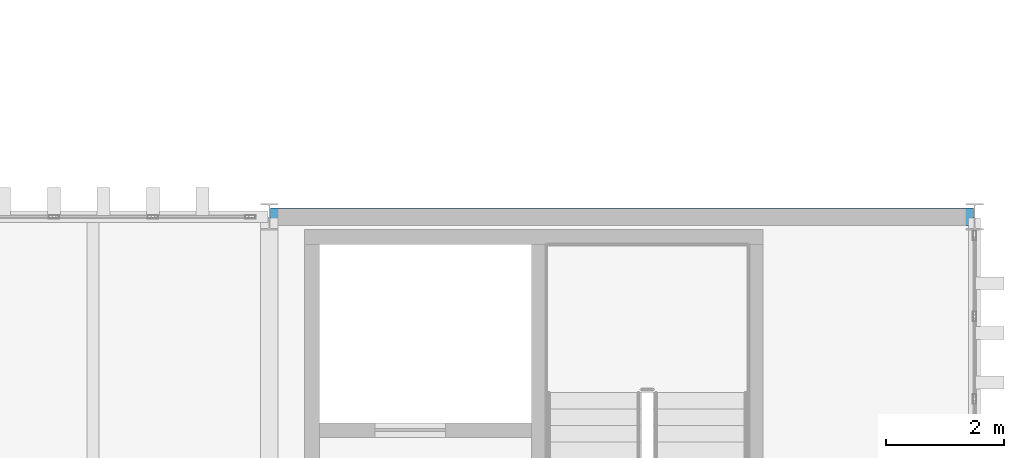
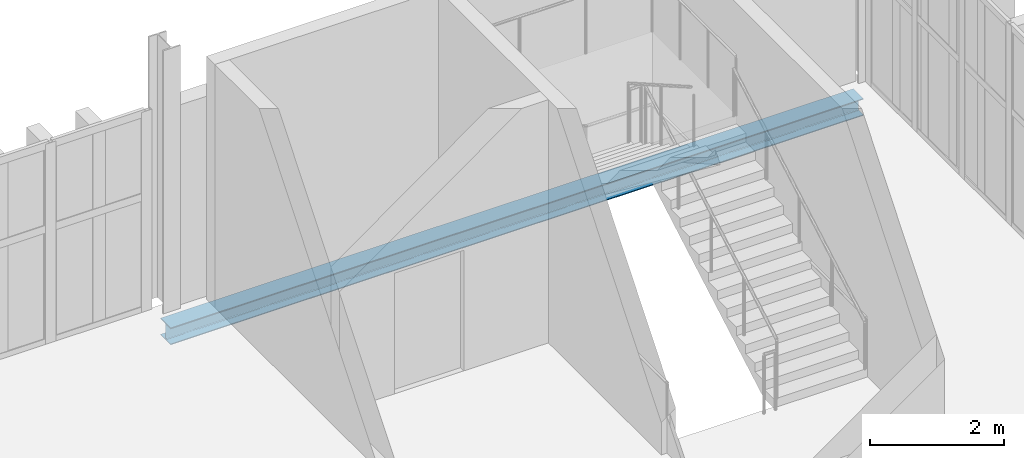
# One storey, part 151 of 196: 1 beam.
"""IFC4 building model written with IfcOpenShell, lengths in metres."""

from ifc_helpers import new_model, si_unit, direction, frame, origin, origin_2d, place, context, subcontext, project, spatial, i_section, extrude, material, material_profile, profile_set, type_object, element, save


model = new_model("IFC4")

# Units and contexts
model_context = context("Model", 3, precision=1e-05, world=origin(), true_north=direction((0.0, 1.0)))
body_context = subcontext(model_context, "Body", "Model", "MODEL_VIEW")
ifc_project = project(units=[si_unit("LENGTHUNIT", "METRE"), si_unit("AREAUNIT", "SQUARE_METRE"), si_unit("VOLUMEUNIT", "CUBIC_METRE"), si_unit("PLANEANGLEUNIT", "RADIAN"), si_unit("MASSUNIT", "GRAM", prefix="KILO")], contexts=[model_context])

# Site, building, storey
site_placement = place(None, origin())
site = spatial("IfcSite", under=ifc_project, at=site_placement, CompositionType="ELEMENT")
building_placement = place(site_placement, origin())
building = spatial("IfcBuilding", under=site, at=building_placement, Name="Barlavento Convention Centre", CompositionType="ELEMENT")
storey_placement = place(building_placement, frame((0.0, 0.0, 18.0)))
storey = spatial("IfcBuildingStorey", under=building, at=storey_placement, Name="L03", CompositionType="ELEMENT", Elevation=18.0)

# Beam
ifc_material = material(Name="Steel S355", Category="steel")
ifc_material_profile = material_profile(ifc_material, i_section(OverallWidth=0.300048828125, OverallDepth=0.31005859375, WebThickness=0.009033203125, FlangeThickness=0.015380859375, FilletRadius=0.027099609375, at=origin_2d()), Name="HEA 320")
ifc_profile_set = profile_set([ifc_material_profile], Name="Steel S355")
beam_type = type_object("IfcBeamType", Name="STR-BM-SPN-HEA320", PredefinedType="SPANDREL", material=ifc_profile_set)
beam_placement = place(storey_placement, frame((180.02001953125, 99.0, -0.514892578125), z_axis=(1.0, 0.0, 0.0), x_axis=(0.0, 1.0, 0.0)))
element("IfcBeam", 1, at=beam_placement, inside=storey, type_object=beam_type, Name="L03 primary girder SP01", PredefinedType="SPANDREL", context=body_context, shape_type="SweptSolid", body=[
    extrude(i_section(OverallWidth=0.300048828125, OverallDepth=0.31005859375, WebThickness=0.009033203125, FlangeThickness=0.015380859375, FilletRadius=0.027099609375, at=origin_2d()), origin(), (0.0, 0.0, 1.0), 11.9599609375),
])

save(model, "model.ifc")
